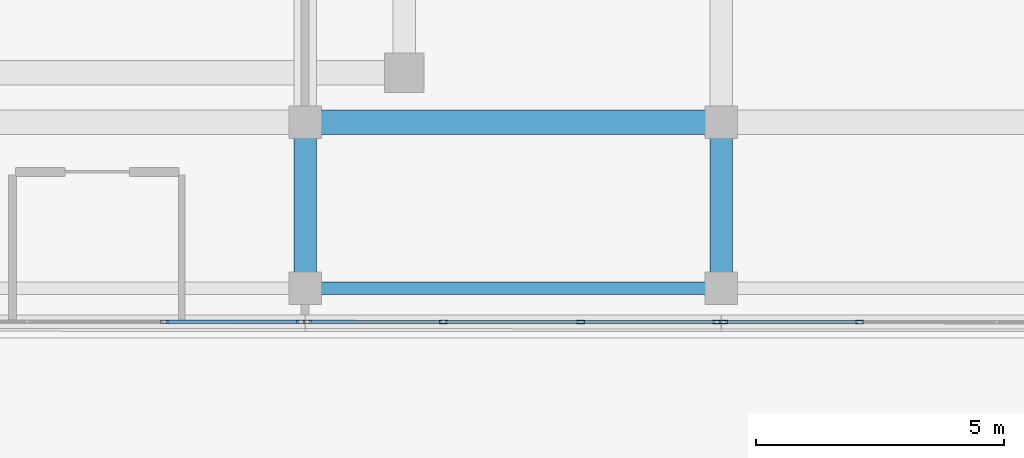
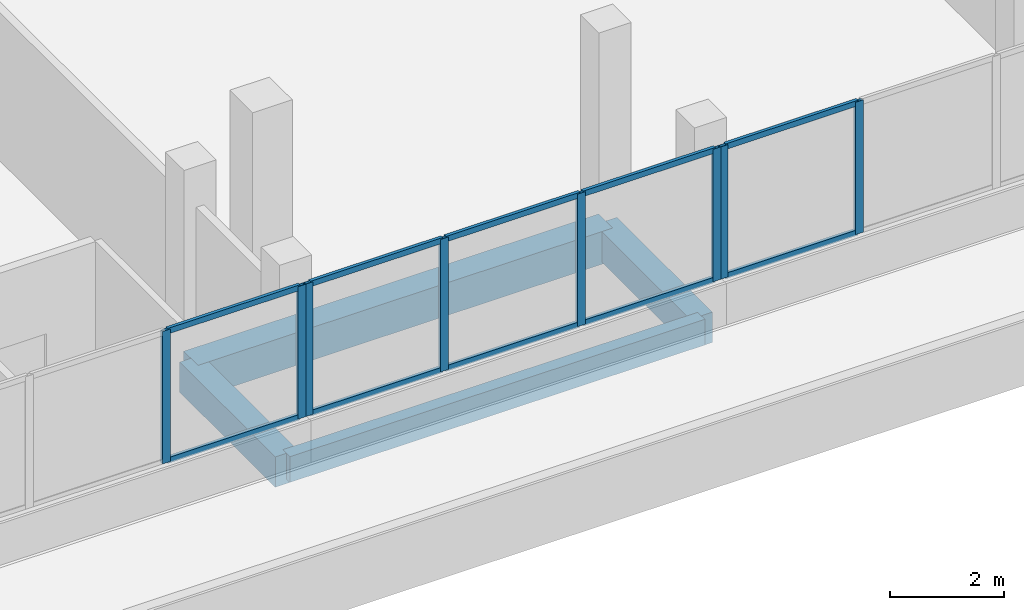
# One storey, part 13 of 78: 18 members, 4 beams, 3 elements without a shape of their own.
"""IFC4 building model written with IfcOpenShell, lengths in metres."""

from ifc_helpers import new_model, si_unit, direction, frame, origin, origin_2d, place, context, subcontext, project, spatial, rectangle, hollow_rectangle, extrude, material, material_profile, profile_set, type_object, element, aggregate, save


model = new_model("IFC4")

# Units and contexts
model_context = context("Model", 3, precision=1e-05, world=origin(), true_north=direction((0.0, 1.0)))
body_context = subcontext(model_context, "Body", "Model", "MODEL_VIEW")
ifc_project = project(units=[si_unit("LENGTHUNIT", "METRE"), si_unit("AREAUNIT", "SQUARE_METRE"), si_unit("VOLUMEUNIT", "CUBIC_METRE"), si_unit("PLANEANGLEUNIT", "RADIAN"), si_unit("MASSUNIT", "GRAM", prefix="KILO")], contexts=[model_context])

# Site, building, storey
site_placement = place(None, origin())
site = spatial("IfcSite", under=ifc_project, at=site_placement, CompositionType="ELEMENT")
building_placement = place(site_placement, origin())
building = spatial("IfcBuilding", under=site, at=building_placement, Name="Selatvlak General Hospital", CompositionType="ELEMENT")
storey_placement = place(building_placement, frame((0.0, 0.0, 23.25)))
storey = spatial("IfcBuildingStorey", under=building, at=storey_placement, Name="L05", CompositionType="ELEMENT", Elevation=23.25)

# Beams
ifc_material_1 = material(Name="Concrete C40/50", Category="concrete")
ifc_material_profile_1 = material_profile(ifc_material_1, rectangle(XDim=0.5, YDim=0.699951171875, at=origin_2d()), Name="RC-BM 500x700")
ifc_profile_set_1 = profile_set([ifc_material_profile_1], Name="Concrete C40/50")
beam_type_1 = type_object("IfcBeamType", Name="BM-G03", PredefinedType="BEAM", material=ifc_profile_set_1)
beam_1_placement = place(storey_placement, frame((81.60009765625, 92.0, -0.6298828125), z_axis=(1.0, 0.0, 0.0), x_axis=(0.0, 1.0, 0.0)))
element("IfcBeam", 1, at=beam_1_placement, inside=storey, type_object=beam_type_1, Name="Beam BMR-L05-1909", PredefinedType="BEAM", context=body_context, shape_type="SweptSolid", body=[
    extrude(rectangle(XDim=0.5, YDim=0.699951171875, at=origin_2d()), origin(), (0.0, 0.0, 1.0), 8.39990234375),
])
ifc_material_profile_2 = material_profile(ifc_material_1, rectangle(XDim=0.449951171875, YDim=0.64990234375, at=origin_2d()), Name="RC-BM 450x650")
ifc_profile_set_2 = profile_set([ifc_material_profile_2], Name="Concrete C40/50")
beam_type_2 = type_object("IfcBeamType", Name="BM-G04", PredefinedType="BEAM", material=ifc_profile_set_2)
for number, where, z_axis, x_axis, name in (
    (2, (81.60009765625, 88.64990234375, -0.60498046875), (0.0, 1.0, 0.0), (-1.0, 0.0, 0.0), "Beam BMR-L05-2021"),
    (3, (90.0, 88.64990234375, -0.60498046875), (0.0, 1.0, 0.0), (-1.0, 0.0, 0.0), "Beam BMR-L05-2029"),
):
    element("IfcBeam", number, at=place(storey_placement, frame(where, z_axis=z_axis, x_axis=x_axis)), inside=storey, type_object=beam_type_2, Name=name, PredefinedType="BEAM", context=body_context, shape_type="SweptSolid", body=[
        extrude(rectangle(XDim=0.449951171875, YDim=0.64990234375, at=origin_2d()), origin(), (0.0, 0.0, 1.0), 3.35009765625),
    ])
ifc_material_profile_3 = material_profile(ifc_material_1, rectangle(XDim=0.25, YDim=0.550048828125, at=origin_2d()), Name="RC-SP 250x550")
ifc_profile_set_3 = profile_set([ifc_material_profile_3], Name="Concrete C40/50")
beam_type_3 = type_object("IfcBeamType", Name="BM-SP2", PredefinedType="SPANDREL", material=ifc_profile_set_3)
beam_2_placement = place(storey_placement, frame((81.60009765625, 88.64990234375, -0.554931640625), z_axis=(1.0, 0.0, 0.0), x_axis=(0.0, 1.0, 0.0)))
element("IfcBeam", 4, at=beam_2_placement, inside=storey, type_object=beam_type_3, Name="Beam BMR-L05-1889", PredefinedType="SPANDREL", context=body_context, shape_type="SweptSolid", body=[
    extrude(rectangle(XDim=0.25, YDim=0.550048828125, at=origin_2d()), origin(), (0.0, 0.0, 1.0), 8.39990234375),
])

# Curtain wall, members
ifc_material_2 = material(Name="Solar-control Low-E double glazing", Category="glass")
curtain_wall_type_1 = type_object("IfcCurtainWallType", Name="CW-CW-01", PredefinedType="USERDEFINED", material=ifc_material_2)
curtain_wall_1_placement = place(storey_placement, origin())
curtain_wall_1 = element("IfcCurtainWall", 5, at=curtain_wall_1_placement, inside=storey, type_object=curtain_wall_type_1, Name="Glazed facade curtain wall CW-L05-0585", ObjectType="UNITISED CURTAIN WALL", PredefinedType="USERDEFINED")
ifc_material_3 = material(Name="Dark anodised aluminium mullion", Category="aluminium")
ifc_material_profile_4 = material_profile(ifc_material_3, hollow_rectangle(XDim=0.06494140625, YDim=0.159912109375, WallThickness=0.00390625, at=origin_2d()), Name="AL-MUL 65x160x4")
ifc_profile_set_4 = profile_set([ifc_material_profile_4], Name="Dark anodised aluminium mullion")
member_type_1 = type_object("IfcMemberType", Name="CWM-01", PredefinedType="MULLION", material=ifc_profile_set_4)
member_1_placement = place(storey_placement, frame((92.788330078125, 87.966552734375, 0.93994140625), z_axis=(0.0, 0.0, 1.0), x_axis=(-0.00048076918, -0.99999988443, 0.0)))
member_1 = element("IfcMember", 6, at=member_1_placement, type_object=member_type_1, Name="CW-01 mullion 3", PredefinedType="MULLION", context=body_context, shape_type="SweptSolid", body=[
    extrude(hollow_rectangle(XDim=0.06494140625, YDim=0.159912109375, WallThickness=0.00390625, at=origin_2d()), origin(), (0.0, 0.0, 1.0), 2.8349609375),
])
member_2_placement = place(storey_placement, frame((90.047607421875, 87.968017578125, 0.93994140625), z_axis=(0.0, 0.0, 1.0), x_axis=(-0.00048076918, -0.99999988443, 0.0)))
member_2 = element("IfcMember", 7, at=member_2_placement, type_object=member_type_1, Name="CW-01 mullion 4", PredefinedType="MULLION", context=body_context, shape_type="SweptSolid", body=[
    extrude(hollow_rectangle(XDim=0.06494140625, YDim=0.159912109375, WallThickness=0.00390625, at=origin_2d()), origin(), (0.0, 0.0, 1.0), 2.8349609375),
])

curtain_wall_type_2 = type_object("IfcCurtainWallType", Name="CW-CW-02", PredefinedType="USERDEFINED", material=ifc_material_2)
curtain_wall_2_placement = place(storey_placement, origin())
curtain_wall_2 = element("IfcCurtainWall", 8, at=curtain_wall_2_placement, inside=storey, type_object=curtain_wall_type_2, Name="Glazed facade curtain wall CW-L05-0586", ObjectType="UNITISED CURTAIN WALL", PredefinedType="USERDEFINED")
member_3_placement = place(storey_placement, frame((89.902587890625, 87.968017578125, 0.93994140625), z_axis=(0.0, 0.0, 1.0), x_axis=(-0.00048076918, -0.99999988443, 0.0)))
member_3 = element("IfcMember", 9, at=member_3_placement, type_object=member_type_1, Name="CW-02 mullion 1", PredefinedType="MULLION", context=body_context, shape_type="SweptSolid", body=[
    extrude(hollow_rectangle(XDim=0.06494140625, YDim=0.159912109375, WallThickness=0.00390625, at=origin_2d()), origin(), (0.0, 0.0, 1.0), 2.8349609375),
])
member_4_placement = place(storey_placement, frame((87.16162109375, 87.96923828125, 0.93994140625), z_axis=(0.0, 0.0, 1.0), x_axis=(-0.00048076918, -0.99999988443, 0.0)))
member_4 = element("IfcMember", 10, at=member_4_placement, type_object=member_type_1, Name="CW-02 mullion 2", PredefinedType="MULLION", context=body_context, shape_type="SweptSolid", body=[
    extrude(hollow_rectangle(XDim=0.06494140625, YDim=0.159912109375, WallThickness=0.00390625, at=origin_2d()), origin(), (0.0, 0.0, 1.0), 2.8349609375),
])
member_5_placement = place(storey_placement, frame((84.388427734375, 87.970703125, 0.93994140625), z_axis=(0.0, 0.0, 1.0), x_axis=(-0.00048076918, -0.99999988443, 0.0)))
member_5 = element("IfcMember", 11, at=member_5_placement, type_object=member_type_1, Name="CW-02 mullion 3", PredefinedType="MULLION", context=body_context, shape_type="SweptSolid", body=[
    extrude(hollow_rectangle(XDim=0.06494140625, YDim=0.159912109375, WallThickness=0.00390625, at=origin_2d()), origin(), (0.0, 0.0, 1.0), 2.8349609375),
])
member_6_placement = place(storey_placement, frame((81.6474609375, 87.971923828125, 0.93994140625), z_axis=(0.0, 0.0, 1.0), x_axis=(-0.00048076918, -0.99999988443, 0.0)))
member_6 = element("IfcMember", 12, at=member_6_placement, type_object=member_type_1, Name="CW-02 mullion 4", PredefinedType="MULLION", context=body_context, shape_type="SweptSolid", body=[
    extrude(hollow_rectangle(XDim=0.06494140625, YDim=0.159912109375, WallThickness=0.00390625, at=origin_2d()), origin(), (0.0, 0.0, 1.0), 2.8349609375),
])

curtain_wall_3_placement = place(storey_placement, origin())
curtain_wall_3 = element("IfcCurtainWall", 13, at=curtain_wall_3_placement, inside=storey, type_object=curtain_wall_type_1, Name="Glazed facade curtain wall CW-L05-0587", ObjectType="UNITISED CURTAIN WALL", PredefinedType="USERDEFINED")
member_7_placement = place(storey_placement, frame((81.50244140625, 87.971923828125, 0.93994140625), z_axis=(0.0, 0.0, 1.0), x_axis=(-0.00048076918, -0.99999988443, 0.0)))
member_7 = element("IfcMember", 14, at=member_7_placement, type_object=member_type_1, Name="CW-01 mullion 1", PredefinedType="MULLION", context=body_context, shape_type="SweptSolid", body=[
    extrude(hollow_rectangle(XDim=0.06494140625, YDim=0.159912109375, WallThickness=0.00390625, at=origin_2d()), origin(), (0.0, 0.0, 1.0), 2.8349609375),
])
member_8_placement = place(storey_placement, frame((78.76171875, 87.973388671875, 0.93994140625), z_axis=(0.0, 0.0, 1.0), x_axis=(-0.00048076918, -0.99999988443, 0.0)))
member_8 = element("IfcMember", 15, at=member_8_placement, type_object=member_type_1, Name="CW-01 mullion 2", PredefinedType="MULLION", context=body_context, shape_type="SweptSolid", body=[
    extrude(hollow_rectangle(XDim=0.06494140625, YDim=0.159912109375, WallThickness=0.00390625, at=origin_2d()), origin(), (0.0, 0.0, 1.0), 2.8349609375),
])

# Member
ifc_material_profile_5 = material_profile(ifc_material_3, hollow_rectangle(XDim=0.06494140625, YDim=0.1201171875, WallThickness=0.00390625, at=origin_2d()), Name="AL-TRN 65x120x4")
ifc_profile_set_5 = profile_set([ifc_material_profile_5], Name="Dark anodised aluminium mullion")
member_type_2 = type_object("IfcMemberType", Name="CWT-01", PredefinedType="USERDEFINED", material=ifc_profile_set_5)
member_9_placement = place(storey_placement, frame((92.755859375, 87.966796875, 0.972412109375), z_axis=(-0.999999895939, 0.000456204332, 0.0), x_axis=(-0.000456204332, -0.999999895939, 0.0)))
member_9 = element("IfcMember", 16, at=member_9_placement, type_object=member_type_2, Name="CW-01 transom 3.1", ObjectType="TRANSOM", PredefinedType="USERDEFINED", context=body_context, shape_type="SweptSolid", body=[
    extrude(hollow_rectangle(XDim=0.06494140625, YDim=0.1201171875, WallThickness=0.00390625, at=origin_2d()), origin(), (0.0, 0.0, 1.0), 2.67578125),
])

member_10_placement = place(storey_placement, frame((92.755859375, 87.966796875, 3.742431640625), z_axis=(-0.999999895939, 0.000456204332, 0.0), x_axis=(-0.000456204332, -0.999999895939, 0.0)))
member_10 = element("IfcMember", 17, at=member_10_placement, type_object=member_type_2, Name="CW-01 transom 3.2", ObjectType="TRANSOM", PredefinedType="USERDEFINED", context=body_context, shape_type="SweptSolid", body=[
    extrude(hollow_rectangle(XDim=0.06494140625, YDim=0.1201171875, WallThickness=0.00390625, at=origin_2d()), origin(), (0.0, 0.0, 1.0), 2.67578125),
])

aggregate(curtain_wall_1, [member_1, member_2, member_9, member_10])

member_11_placement = place(storey_placement, frame((89.8701171875, 87.968017578125, 0.972412109375), z_axis=(-0.999999895958, 0.000456162711, 0.0), x_axis=(-0.000456162711, -0.999999895958, 0.0)))
member_11 = element("IfcMember", 18, at=member_11_placement, type_object=member_type_2, Name="CW-02 transom 1.1", ObjectType="TRANSOM", PredefinedType="USERDEFINED", context=body_context, shape_type="SweptSolid", body=[
    extrude(hollow_rectangle(XDim=0.06494140625, YDim=0.1201171875, WallThickness=0.00390625, at=origin_2d()), origin(), (0.0, 0.0, 1.0), 2.676025390625),
])

member_12_placement = place(storey_placement, frame((89.8701171875, 87.968017578125, 3.742431640625), z_axis=(-0.999999895958, 0.000456162711, 0.0), x_axis=(-0.000456162711, -0.999999895958, 0.0)))
member_12 = element("IfcMember", 19, at=member_12_placement, type_object=member_type_2, Name="CW-02 transom 1.2", ObjectType="TRANSOM", PredefinedType="USERDEFINED", context=body_context, shape_type="SweptSolid", body=[
    extrude(hollow_rectangle(XDim=0.06494140625, YDim=0.1201171875, WallThickness=0.00390625, at=origin_2d()), origin(), (0.0, 0.0, 1.0), 2.676025390625),
])

member_13_placement = place(storey_placement, frame((87.129150390625, 87.96923828125, 0.972412109375), z_axis=(-0.999999853724, 0.000540881558, 0.0), x_axis=(-0.000540881558, -0.999999853724, 0.0)))
member_13 = element("IfcMember", 20, at=member_13_placement, type_object=member_type_2, Name="CW-02 transom 2.1", ObjectType="TRANSOM", PredefinedType="USERDEFINED", context=body_context, shape_type="SweptSolid", body=[
    extrude(hollow_rectangle(XDim=0.06494140625, YDim=0.1201171875, WallThickness=0.00390625, at=origin_2d()), origin(), (0.0, 0.0, 1.0), 2.708251953125),
])

member_14_placement = place(storey_placement, frame((87.129150390625, 87.96923828125, 3.742431640625), z_axis=(-0.999999853724, 0.000540881558, 0.0), x_axis=(-0.000540881558, -0.999999853724, 0.0)))
member_14 = element("IfcMember", 21, at=member_14_placement, type_object=member_type_2, Name="CW-02 transom 2.2", ObjectType="TRANSOM", PredefinedType="USERDEFINED", context=body_context, shape_type="SweptSolid", body=[
    extrude(hollow_rectangle(XDim=0.06494140625, YDim=0.1201171875, WallThickness=0.00390625, at=origin_2d()), origin(), (0.0, 0.0, 1.0), 2.708251953125),
])

member_15_placement = place(storey_placement, frame((84.355712890625, 87.970703125, 0.972412109375), z_axis=(-0.999999895939, 0.000456204332, 0.0), x_axis=(-0.000456204332, -0.999999895939, 0.0)))
member_15 = element("IfcMember", 22, at=member_15_placement, type_object=member_type_2, Name="CW-02 transom 3.1", ObjectType="TRANSOM", PredefinedType="USERDEFINED", context=body_context, shape_type="SweptSolid", body=[
    extrude(hollow_rectangle(XDim=0.06494140625, YDim=0.1201171875, WallThickness=0.00390625, at=origin_2d()), origin(), (0.0, 0.0, 1.0), 2.67578125),
])

member_16_placement = place(storey_placement, frame((84.355712890625, 87.970703125, 3.742431640625), z_axis=(-0.999999895939, 0.000456204332, 0.0), x_axis=(-0.000456204332, -0.999999895939, 0.0)))
member_16 = element("IfcMember", 23, at=member_16_placement, type_object=member_type_2, Name="CW-02 transom 3.2", ObjectType="TRANSOM", PredefinedType="USERDEFINED", context=body_context, shape_type="SweptSolid", body=[
    extrude(hollow_rectangle(XDim=0.06494140625, YDim=0.1201171875, WallThickness=0.00390625, at=origin_2d()), origin(), (0.0, 0.0, 1.0), 2.67578125),
])

aggregate(curtain_wall_2, [member_3, member_4, member_5, member_6, member_11, member_12, member_13, member_14, member_15, member_16])

member_17_placement = place(storey_placement, frame((81.469970703125, 87.971923828125, 0.972412109375), z_axis=(-0.999999850152, 0.000547445173, 0.0), x_axis=(-0.000547445173, -0.999999850152, 0.0)))
member_17 = element("IfcMember", 24, at=member_17_placement, type_object=member_type_2, Name="CW-01 transom 1.1", ObjectType="TRANSOM", PredefinedType="USERDEFINED", context=body_context, shape_type="SweptSolid", body=[
    extrude(hollow_rectangle(XDim=0.06494140625, YDim=0.1201171875, WallThickness=0.00390625, at=origin_2d()), origin(), (0.0, 0.0, 1.0), 2.67578125),
])

member_18_placement = place(storey_placement, frame((81.469970703125, 87.971923828125, 3.742431640625), z_axis=(-0.999999850152, 0.000547445173, 0.0), x_axis=(-0.000547445173, -0.999999850152, 0.0)))
member_18 = element("IfcMember", 25, at=member_18_placement, type_object=member_type_2, Name="CW-01 transom 1.2", ObjectType="TRANSOM", PredefinedType="USERDEFINED", context=body_context, shape_type="SweptSolid", body=[
    extrude(hollow_rectangle(XDim=0.06494140625, YDim=0.1201171875, WallThickness=0.00390625, at=origin_2d()), origin(), (0.0, 0.0, 1.0), 2.67578125),
])

aggregate(curtain_wall_3, [member_7, member_8, member_17, member_18])

save(model, "model.ifc")
